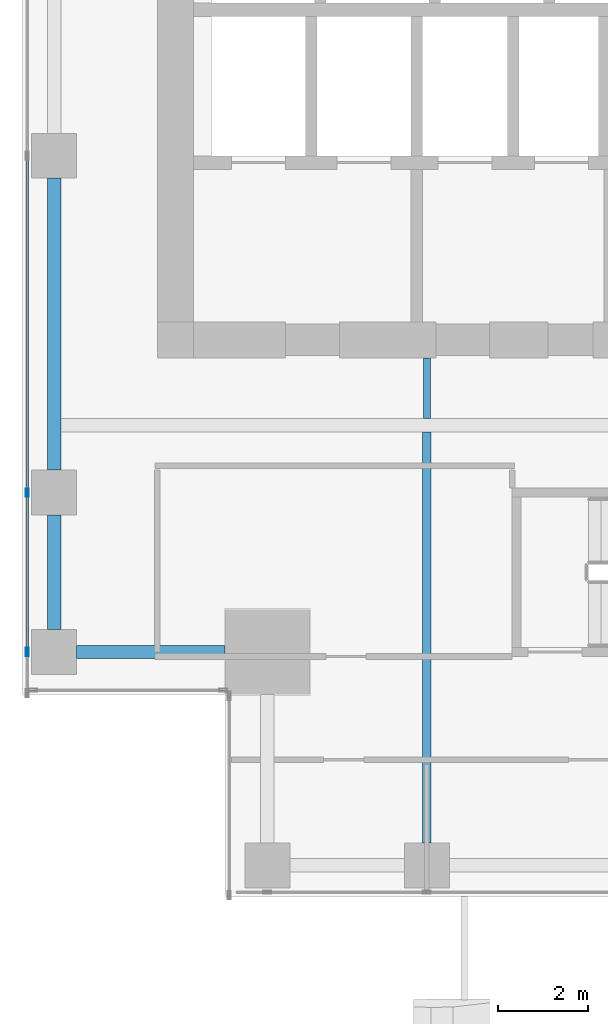
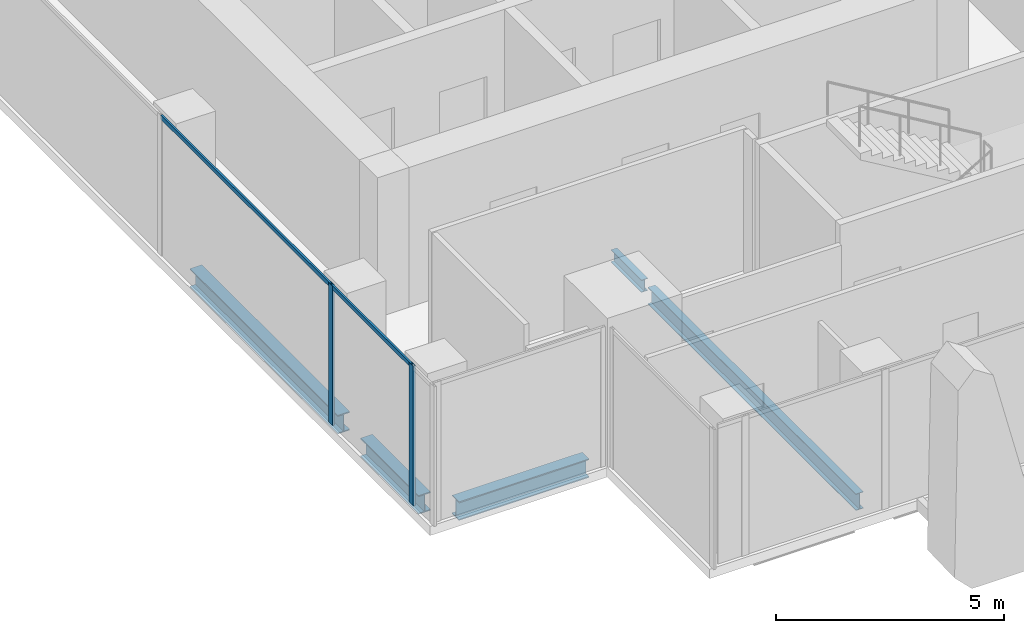
# One storey, part 4 of 38: 5 beams, 4 members, 1 element without a shape of its own.
"""IFC4 building model written with IfcOpenShell, lengths in metres."""

from ifc_helpers import new_model, si_unit, direction, frame, origin, origin_2d, place, context, subcontext, project, spatial, hollow_rectangle, i_section, extrude, source, transform, mapped, material, material_profile, profile_set, type_object, element, aggregate, save


model = new_model("IFC4")

# Units and contexts
model_context = context("Model", 3, precision=1e-05, world=origin(), true_north=direction((0.0, 1.0)))
body_context = subcontext(model_context, "Body", "Model", "MODEL_VIEW")
ifc_project = project(units=[si_unit("LENGTHUNIT", "METRE"), si_unit("AREAUNIT", "SQUARE_METRE"), si_unit("VOLUMEUNIT", "CUBIC_METRE"), si_unit("PLANEANGLEUNIT", "RADIAN"), si_unit("MASSUNIT", "GRAM", prefix="KILO")], contexts=[model_context])

# Site, building, storey
site_placement = place(None, origin())
site = spatial("IfcSite", under=ifc_project, at=site_placement, CompositionType="ELEMENT")
building_placement = place(site_placement, origin())
building = spatial("IfcBuilding", under=site, at=building_placement, Name="Khomas Fold Tower", CompositionType="ELEMENT")
storey_placement = place(building_placement, frame((0.0, 0.0, 208.699951171875)))
storey = spatial("IfcBuildingStorey", under=building, at=storey_placement, Name="L46", CompositionType="ELEMENT", Elevation=208.699951171875)

# Beams
ifc_material_1 = material(Name="Steel S355", Category="steel")
ifc_material_profile_1 = material_profile(ifc_material_1, i_section(OverallWidth=0.300048828125, OverallDepth=0.5, WebThickness=0.014404296875, FlangeThickness=0.028076171875, at=origin_2d()), Name="HE 500 B")
ifc_profile_set_1 = profile_set([ifc_material_profile_1], Name="Steel S355")
beam_type_1 = type_object("IfcBeamType", Name="HE 500 B spandrel SB3", PredefinedType="SPANDREL", material=ifc_profile_set_1)
shared_shape_1 = source(origin(), body_context, "Body", "SweptSolid", [
    extrude(i_section(OverallWidth=0.300048828125, OverallDepth=0.5, WebThickness=0.014404296875, FlangeThickness=0.028076171875, at=origin_2d()), origin(), (0.0, 0.0, 1.0), 2.550048828125),
])
beam_1_placement = place(storey_placement, frame((3.699951171875, 8.949951171875, -0.5), z_axis=(0.0, 1.0, 0.0), x_axis=(-1.0, 0.0, 0.0)))
element("IfcBeam", 1, at=beam_1_placement, inside=storey, type_object=beam_type_1, Name="SB3", PredefinedType="SPANDREL", context=body_context, shape_type="MappedRepresentation", body=[
    mapped(shared_shape_1, transform((0.0, 0.0, 0.0))),
])
shared_shape_2 = source(origin(), body_context, "Body", "SweptSolid", [
    extrude(i_section(OverallWidth=0.300048828125, OverallDepth=0.5, WebThickness=0.014404296875, FlangeThickness=0.028076171875, at=origin_2d()), origin(), (0.0, 0.0, 1.0), 6.5),
])
beam_2_placement = place(storey_placement, frame((3.699951171875, 12.5, -0.5), z_axis=(0.0, 1.0, 0.0), x_axis=(-1.0, 0.0, 0.0)))
element("IfcBeam", 2, at=beam_2_placement, inside=storey, type_object=beam_type_1, Name="SB3", PredefinedType="SPANDREL", context=body_context, shape_type="MappedRepresentation", body=[
    mapped(shared_shape_2, transform((0.0, 0.0, 0.0))),
])
shared_shape_3 = source(origin(), body_context, "Body", "SweptSolid", [
    extrude(i_section(OverallWidth=0.300048828125, OverallDepth=0.5, WebThickness=0.014404296875, FlangeThickness=0.028076171875, at=origin_2d()), origin(), (0.0, 0.0, 1.0), 3.300048828125),
])
beam_3_placement = place(storey_placement, frame((4.199951171875, 8.449951171875, -0.5), z_axis=(1.0, 0.0, 0.0), x_axis=(0.0, 1.0, 0.0)))
element("IfcBeam", 3, at=beam_3_placement, inside=storey, type_object=beam_type_1, Name="SB3", PredefinedType="SPANDREL", context=body_context, shape_type="MappedRepresentation", body=[
    mapped(shared_shape_3, transform((0.0, 0.0, 0.0))),
])
ifc_material_2 = material(Name="Steel S355", Category="steel")
ifc_material_profile_2 = material_profile(ifc_material_2, i_section(OverallWidth=0.18994140625, OverallDepth=0.449951171875, WebThickness=0.009521484375, FlangeThickness=0.0146484375, at=origin_2d()), Name="IPE 450")
ifc_profile_set_2 = profile_set([ifc_material_profile_2], Name="Steel S355")
beam_type_2 = type_object("IfcBeamType", Name="IPE 450 beam JB4", PredefinedType="BEAM", material=ifc_profile_set_2)
shared_shape_4 = source(origin(), body_context, "Body", "SweptSolid", [
    extrude(i_section(OverallWidth=0.18994140625, OverallDepth=0.449951171875, WebThickness=0.009521484375, FlangeThickness=0.0146484375, at=origin_2d()), origin(), (0.0, 0.0, 1.0), 9.150146484375),
])
beam_4_placement = place(storey_placement, frame((12.0, 4.199951171875, -0.474853515625), z_axis=(0.0, 1.0, 0.0), x_axis=(-1.0, 0.0, 0.0)))
element("IfcBeam", 4, at=beam_4_placement, inside=storey, type_object=beam_type_2, Name="JB4", PredefinedType="BEAM", context=body_context, shape_type="MappedRepresentation", body=[
    mapped(shared_shape_4, transform((0.0, 0.0, 0.0))),
])
ifc_material_3 = material(Name="Steel S355", Category="steel")
ifc_material_profile_3 = material_profile(ifc_material_3, i_section(OverallWidth=0.159912109375, OverallDepth=0.330078125, WebThickness=0.007568359375, FlangeThickness=0.011474609375, at=origin_2d()), Name="IPE 330")
ifc_profile_set_3 = profile_set([ifc_material_profile_3], Name="Steel S355")
beam_type_3 = type_object("IfcBeamType", Name="IPE 330 beam JB1", PredefinedType="BEAM", material=ifc_profile_set_3)
shared_shape_5 = source(origin(), body_context, "Body", "SweptSolid", [
    extrude(i_section(OverallWidth=0.159912109375, OverallDepth=0.330078125, WebThickness=0.007568359375, FlangeThickness=0.011474609375, at=origin_2d()), origin(), (0.0, 0.0, 1.0), 1.35009765625),
])
beam_5_placement = place(storey_placement, frame((12.0, 13.64990234375, -0.4150390625), z_axis=(0.0, 1.0, 0.0), x_axis=(-1.0, 0.0, 0.0)))
element("IfcBeam", 5, at=beam_5_placement, inside=storey, type_object=beam_type_3, Name="JB1", PredefinedType="BEAM", context=body_context, shape_type="MappedRepresentation", body=[
    mapped(shared_shape_5, transform((0.0, 0.0, 0.0))),
])

# Curtain wall, members
ifc_material_4 = material(Name="Aluminium framed double glazing", Category="aluminium")
curtain_wall_type = type_object("IfcCurtainWallType", Name="SK-Unitised clear-glass wall, office floors CW2", PredefinedType="NOTDEFINED", material=ifc_material_4)
curtain_wall_placement = place(storey_placement, origin())
curtain_wall = element("IfcCurtainWall", 6, at=curtain_wall_placement, inside=storey, type_object=curtain_wall_type, Name="CW2 run L46 09-0", PredefinedType="NOTDEFINED")
ifc_material_5 = material(Name="Aluminium", Category="aluminium")
ifc_material_profile_4 = material_profile(ifc_material_5, hollow_rectangle(XDim=0.06005859375, YDim=0.179931640625, WallThickness=0.00390625, at=origin_2d()), Name="SK-Unitised clear-glass wall, office floors mullion CW2-M")
ifc_profile_set_4 = profile_set([ifc_material_profile_4], Name="Aluminium")
member_type_1 = type_object("IfcMemberType", Name="SK-Unitised clear-glass wall, office floors mullion CW2-M", PredefinedType="MULLION", material=ifc_profile_set_4)
shared_shape_6 = source(origin(), body_context, "Body", "SweptSolid", [
    extrude(hollow_rectangle(XDim=0.06005859375, YDim=0.179931640625, WallThickness=0.00390625, at=origin_2d()), origin(), (0.0, 0.0, 1.0), 3.75),
])
member_1_placement = place(storey_placement, frame((3.10009765625, 12.0, 0.0), z_axis=(0.0, 0.0, 1.0), x_axis=(1.0, 0.0, 0.0)))
member_1 = element("IfcMember", 7, at=member_1_placement, type_object=member_type_1, Name="CW2 mullion 7", PredefinedType="MULLION", context=body_context, shape_type="MappedRepresentation", body=[
    mapped(shared_shape_6, transform((0.0, 0.0, 0.0))),
])
member_2_placement = place(storey_placement, frame((3.10009765625, 8.449951171875, 0.0), z_axis=(0.0, 0.0, 1.0), x_axis=(1.0, 0.0, 0.0)))
member_2 = element("IfcMember", 8, at=member_2_placement, type_object=member_type_1, Name="CW2 mullion 8", PredefinedType="MULLION", context=body_context, shape_type="MappedRepresentation", body=[
    mapped(shared_shape_6, transform((0.0, 0.0, 0.0))),
])
ifc_material_6 = material(Name="Aluminium", Category="aluminium")
ifc_material_profile_5 = material_profile(ifc_material_6, hollow_rectangle(XDim=0.050048828125, YDim=0.110107421875, WallThickness=0.00390625, at=origin_2d()), Name="SK-Unitised clear-glass wall, office floors transom CW2-T")
ifc_profile_set_5 = profile_set([ifc_material_profile_5], Name="Aluminium")
member_type_2 = type_object("IfcMemberType", Name="SK-Unitised clear-glass wall, office floors transom CW2-T", PredefinedType="USERDEFINED", material=ifc_profile_set_5)
shared_shape_7 = source(origin(), body_context, "Body", "SweptSolid", [
    extrude(hollow_rectangle(XDim=0.050048828125, YDim=0.110107421875, WallThickness=0.00390625, at=origin_2d()), origin(), (0.0, 0.0, 1.0), 3.489990234375),
])
member_3_placement = place(storey_placement, frame((3.10009765625, 11.969970703125, 3.695068359375), z_axis=(0.0, -1.0, 0.0), x_axis=(1.0, 0.0, 0.0)))
member_3 = element("IfcMember", 9, at=member_3_placement, type_object=member_type_2, Name="CW2 transom 7", ObjectType="TRANSOM", PredefinedType="USERDEFINED", context=body_context, shape_type="MappedRepresentation", body=[
    mapped(shared_shape_7, transform((0.0, 0.0, 0.0))),
])
shared_shape_8 = source(origin(), body_context, "Body", "SweptSolid", [
    extrude(hollow_rectangle(XDim=0.050048828125, YDim=0.110107421875, WallThickness=0.00390625, at=origin_2d()), origin(), (0.0, 0.0, 1.0), 7.43994140625),
])
member_4_placement = place(storey_placement, frame((3.10009765625, 19.469970703125, 3.695068359375), z_axis=(0.0, -1.0, 0.0), x_axis=(1.0, 0.0, 0.0)))
member_4 = element("IfcMember", 10, at=member_4_placement, type_object=member_type_2, Name="CW2 transom 6", ObjectType="TRANSOM", PredefinedType="USERDEFINED", context=body_context, shape_type="MappedRepresentation", body=[
    mapped(shared_shape_8, transform((0.0, 0.0, 0.0))),
])
aggregate(curtain_wall, [member_1, member_2, member_4, member_3])

save(model, "model.ifc")
